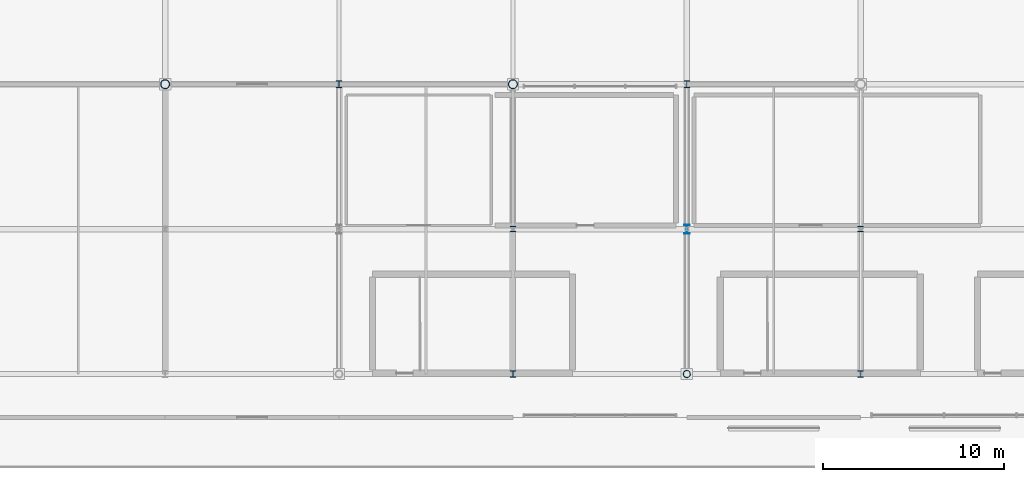
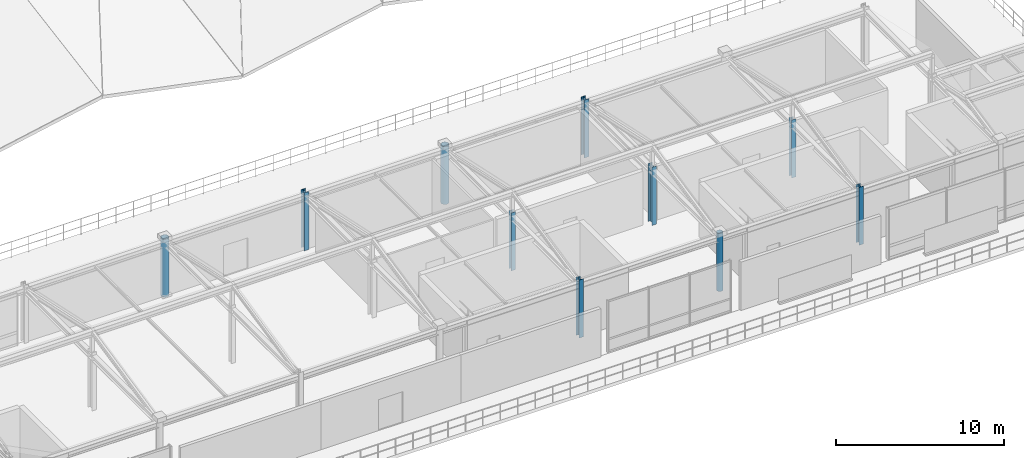
# One storey, part 2 of 26: 10 columns.
"""IFC4 building model written with IfcOpenShell, lengths in metres."""

from ifc_helpers import new_model, si_unit, direction, frame, origin, origin_2d, place, context, subcontext, project, spatial, hollow_circle, i_section, extrude, material, material_profile, profile_set, type_object, element, save


model = new_model("IFC4")

# Units and contexts
model_context = context("Model", 3, precision=1e-05, world=origin(), true_north=direction((0.0, 1.0)))
body_context = subcontext(model_context, "Body", "Model", "MODEL_VIEW")
ifc_project = project(units=[si_unit("LENGTHUNIT", "METRE"), si_unit("AREAUNIT", "SQUARE_METRE"), si_unit("VOLUMEUNIT", "CUBIC_METRE"), si_unit("PLANEANGLEUNIT", "RADIAN"), si_unit("MASSUNIT", "GRAM", prefix="KILO")], contexts=[model_context])

# Site, building, storey
site_placement = place(None, origin())
site = spatial("IfcSite", under=ifc_project, at=site_placement, CompositionType="ELEMENT")
building_placement = place(site_placement, origin())
building = spatial("IfcBuilding", under=site, at=building_placement, Name="Danafjord Basin Convention Centre", CompositionType="ELEMENT")
storey_placement = place(building_placement, frame((0.0, 0.0, 29.39990234375)))
storey = spatial("IfcBuildingStorey", under=building, at=storey_placement, Name="RF", CompositionType="ELEMENT", Elevation=29.39990234375)

# Columns
ifc_material = material(Name="Steel S355", Category="steel")
ifc_material_profile_1 = material_profile(ifc_material, hollow_circle(Radius=0.203125, WallThickness=0.02001953125, at=origin_2d()), Name="CHS 406.4x20.0")
ifc_profile_set_1 = profile_set([ifc_material_profile_1], Name="Steel S355")
column_type_1 = type_object("IfcColumnType", Name="COL-C-CHS406", PredefinedType="COLUMN", material=ifc_profile_set_1)
column_1_placement = place(storey_placement, frame((67.199951171875, 16.0, 0.0), z_axis=(0.0, 0.0, 1.0), x_axis=(1.0, 0.0, 0.0)))
element("IfcColumn", 1, at=column_1_placement, inside=storey, type_object=column_type_1, Name="RF column C-CHS406 at (67.2, 16.0)", PredefinedType="COLUMN", context=body_context, shape_type="SweptSolid", body=[
    extrude(hollow_circle(Radius=0.203125, WallThickness=0.02001953125, at=origin_2d()), origin(), (0.0, 0.0, 1.0), 4.2001953125),
])
ifc_material_profile_2 = material_profile(ifc_material, hollow_circle(Radius=0.25390625, WallThickness=0.02490234375, at=origin_2d()), Name="CHS 508.0x25.0")
ifc_profile_set_2 = profile_set([ifc_material_profile_2], Name="Steel S355")
column_type_2 = type_object("IfcColumnType", Name="COL-C-CHS508", PredefinedType="COLUMN", material=ifc_profile_set_2)
for number, where, z_axis, x_axis, name in (
    (2, (38.39990234375, 32.0, 0.0), (0.0, 0.0, 1.0), (1.0, 0.0, 0.0), "RF column C-CHS508 at (38.4, 32.0)"),
    (3, (57.60009765625, 32.0, 0.0), (0.0, 0.0, 1.0), (1.0, 0.0, 0.0), "RF column C-CHS508 at (57.6, 32.0)"),
):
    element("IfcColumn", number, at=place(storey_placement, frame(where, z_axis=z_axis, x_axis=x_axis)), inside=storey, type_object=column_type_2, Name=name, PredefinedType="COLUMN", context=body_context, shape_type="SweptSolid", body=[
        extrude(hollow_circle(Radius=0.25390625, WallThickness=0.02490234375, at=origin_2d()), origin(), (0.0, 0.0, 1.0), 4.2001953125),
    ])
ifc_material_profile_3 = material_profile(ifc_material, i_section(OverallWidth=0.300048828125, OverallDepth=0.300048828125, WebThickness=0.010986328125, FlangeThickness=0.01904296875, FilletRadius=0.027099609375, at=origin_2d()), Name="HEB 300")
ifc_profile_set_3 = profile_set([ifc_material_profile_3], Name="Steel S355")
column_type_3 = type_object("IfcColumnType", Name="COL-C-HEB300", PredefinedType="COLUMN", material=ifc_profile_set_3)
for number, where, z_axis, x_axis, name in (
    (4, (57.60009765625, 24.0, 0.0), (0.0, 0.0, 1.0), (1.0, 0.0, 0.0), "RF column C-HEB300 at (57.6, 24.0)"),
    (5, (76.800048828125, 24.0, 0.0), (0.0, 0.0, 1.0), (1.0, 0.0, 0.0), "RF column C-HEB300 at (76.8, 24.0)"),
):
    element("IfcColumn", number, at=place(storey_placement, frame(where, z_axis=z_axis, x_axis=x_axis)), inside=storey, type_object=column_type_3, Name=name, PredefinedType="COLUMN", context=body_context, shape_type="SweptSolid", body=[
        extrude(i_section(OverallWidth=0.300048828125, OverallDepth=0.300048828125, WebThickness=0.010986328125, FlangeThickness=0.01904296875, FilletRadius=0.027099609375, at=origin_2d()), origin(), (0.0, 0.0, 1.0), 4.2001953125),
    ])
ifc_material_profile_4 = material_profile(ifc_material, i_section(OverallWidth=0.300048828125, OverallDepth=0.360107421875, WebThickness=0.012451171875, FlangeThickness=0.0224609375, FilletRadius=0.027099609375, at=origin_2d()), Name="HEB 360")
ifc_profile_set_4 = profile_set([ifc_material_profile_4], Name="Steel S355")
column_type_4 = type_object("IfcColumnType", Name="COL-C-HEB360", PredefinedType="COLUMN", material=ifc_profile_set_4)
for number, where, z_axis, x_axis, name in (
    (6, (57.60009765625, 16.0, 0.0), (0.0, 0.0, 1.0), (1.0, 0.0, 0.0), "RF column C-HEB360 at (57.6, 16.0)"),
    (7, (76.800048828125, 16.0, 0.0), (0.0, 0.0, 1.0), (1.0, 0.0, 0.0), "RF column C-HEB360 at (76.8, 16.0)"),
):
    element("IfcColumn", number, at=place(storey_placement, frame(where, z_axis=z_axis, x_axis=x_axis)), inside=storey, type_object=column_type_4, Name=name, PredefinedType="COLUMN", context=body_context, shape_type="SweptSolid", body=[
        extrude(i_section(OverallWidth=0.300048828125, OverallDepth=0.360107421875, WebThickness=0.012451171875, FlangeThickness=0.0224609375, FilletRadius=0.027099609375, at=origin_2d()), origin(), (0.0, 0.0, 1.0), 4.2001953125),
    ])
ifc_material_profile_5 = material_profile(ifc_material, i_section(OverallWidth=0.300048828125, OverallDepth=0.39990234375, WebThickness=0.013427734375, FlangeThickness=0.02392578125, FilletRadius=0.027099609375, at=origin_2d()), Name="HEB 400")
ifc_profile_set_5 = profile_set([ifc_material_profile_5], Name="Steel S355")
column_type_5 = type_object("IfcColumnType", Name="COL-C-HEB400", PredefinedType="COLUMN", material=ifc_profile_set_5)
for number, where, z_axis, x_axis, name in (
    (8, (48.0, 32.0, 0.0), (0.0, 0.0, 1.0), (1.0, 0.0, 0.0), "RF column C-HEB400 at (48.0, 32.0)"),
    (9, (67.199951171875, 32.0, 0.0), (0.0, 0.0, 1.0), (1.0, 0.0, 0.0), "RF column C-HEB400 at (67.2, 32.0)"),
):
    element("IfcColumn", number, at=place(storey_placement, frame(where, z_axis=z_axis, x_axis=x_axis)), inside=storey, type_object=column_type_5, Name=name, PredefinedType="COLUMN", context=body_context, shape_type="SweptSolid", body=[
        extrude(i_section(OverallWidth=0.300048828125, OverallDepth=0.39990234375, WebThickness=0.013427734375, FlangeThickness=0.02392578125, FilletRadius=0.027099609375, at=origin_2d()), origin(), (0.0, 0.0, 1.0), 4.2001953125),
    ])
ifc_material_profile_6 = material_profile(ifc_material, i_section(OverallWidth=0.300048828125, OverallDepth=0.5, WebThickness=0.014404296875, FlangeThickness=0.028076171875, FilletRadius=0.027099609375, at=origin_2d()), Name="HEB 500")
ifc_profile_set_6 = profile_set([ifc_material_profile_6], Name="Steel S355")
column_type_6 = type_object("IfcColumnType", Name="COL-C-HEB500", PredefinedType="COLUMN", material=ifc_profile_set_6)
column_2_placement = place(storey_placement, frame((67.199951171875, 24.0, 0.0), z_axis=(0.0, 0.0, 1.0), x_axis=(1.0, 0.0, 0.0)))
element("IfcColumn", 10, at=column_2_placement, inside=storey, type_object=column_type_6, Name="RF column C-HEB500 at (67.2, 24.0)", PredefinedType="COLUMN", context=body_context, shape_type="SweptSolid", body=[
    extrude(i_section(OverallWidth=0.300048828125, OverallDepth=0.5, WebThickness=0.014404296875, FlangeThickness=0.028076171875, FilletRadius=0.027099609375, at=origin_2d()), origin(), (0.0, 0.0, 1.0), 4.2001953125),
])

save(model, "model.ifc")
